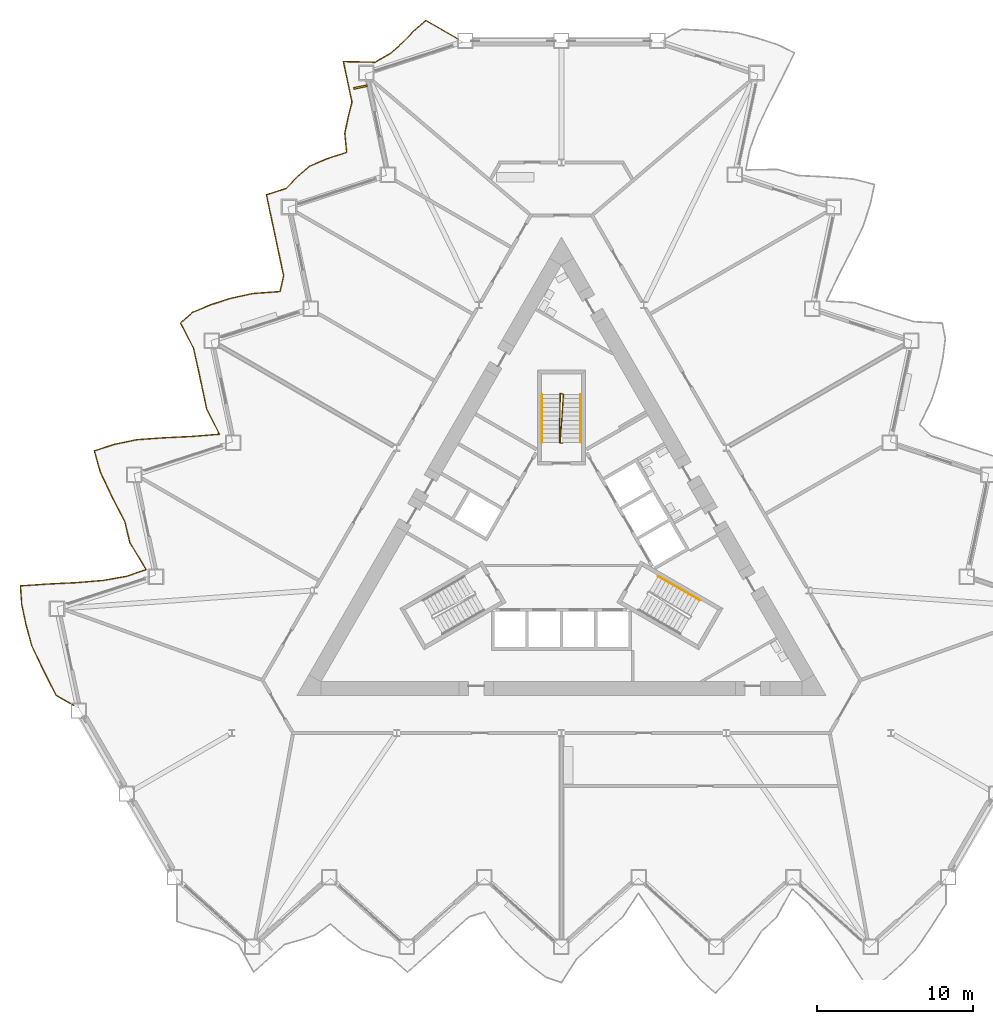
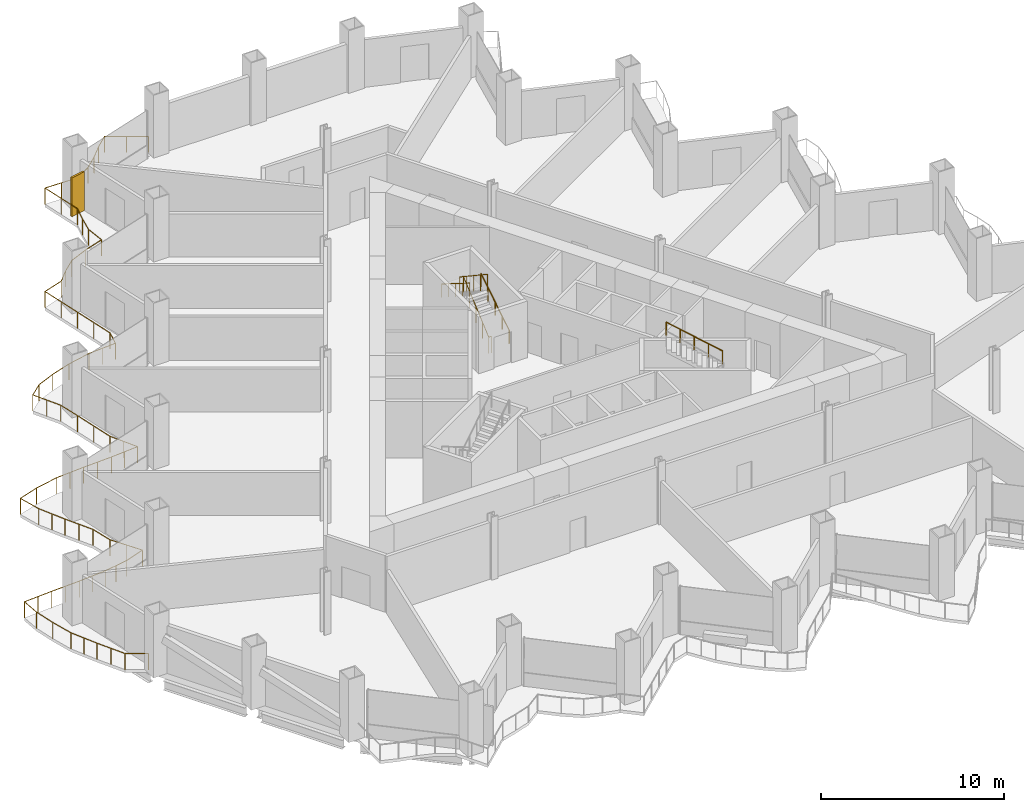
# One storey, part 18 of 21: 5 railings, 1 shading device.
"""IFC4 building model written with IfcOpenShell, lengths in metres."""

from ifc_helpers import new_model, si_unit, direction, frame, origin, origin_2d, place, context, subcontext, project, spatial, rectangle, circle, extrude, material, layer, layer_set, type_object, element, save


model = new_model("IFC4")

# Units and contexts
model_context = context("Model", 3, precision=1e-05, world=origin(), true_north=direction((0.0, 1.0)))
body_context = subcontext(model_context, "Body", "Model", "MODEL_VIEW")
ifc_project = project(units=[si_unit("LENGTHUNIT", "METRE"), si_unit("AREAUNIT", "SQUARE_METRE"), si_unit("VOLUMEUNIT", "CUBIC_METRE"), si_unit("PLANEANGLEUNIT", "RADIAN"), si_unit("MASSUNIT", "GRAM", prefix="KILO")], contexts=[model_context])

# Site, building, storey
site_placement = place(None, origin())
site = spatial("IfcSite", under=ifc_project, at=site_placement, CompositionType="ELEMENT")
building_placement = place(site_placement, origin())
building = spatial("IfcBuilding", under=site, at=building_placement, Name="Cormorant Prow Tower", CompositionType="ELEMENT")
storey_placement = place(building_placement, frame((0.0, 0.0, 80.39990234375)))
storey = spatial("IfcBuildingStorey", under=building, at=storey_placement, Name="L17", CompositionType="ELEMENT", Elevation=80.39990234375)

# Railings
ifc_material_1 = material(Name="Aluminium 6063-T6", Category="aluminium")
railing_type_1 = type_object("IfcRailingType", Name="Balcony guard 1100", PredefinedType="GUARDRAIL", material=ifc_material_1)
railing_1_placement = place(storey_placement, frame((-6.626953125, 32.349609375, 0.0)))
element("IfcRailing", 1, at=railing_1_placement, inside=storey, type_object=railing_type_1, Name="Balcony guard WNW", PredefinedType="GUARDRAIL", context=body_context, shape_type="SweptSolid", body=[
    extrude(circle(Radius=0.02392578125, at=origin_2d()), frame((0.0, 0.0, 1.076171875), z_axis=(-0.866028295127, 0.499994992015, 0.0), x_axis=(-0.499994992015, -0.866028295127, 0.0)), (0.0, 0.0, 1.0), 2.40380859375),
    extrude(circle(Radius=0.02392578125, at=origin_2d()), frame((-2.081787109375, 1.201904296875, 1.076171875), z_axis=(-0.749229047054, -0.66231098062, 0.0), x_axis=(0.66231098062, -0.749229047054, 0.0)), (0.0, 0.0, 1.0), 1.0419921875),
    extrude(circle(Radius=0.02392578125, at=origin_2d()), frame((-2.862548828125, 0.51171875, 1.076171875), z_axis=(-0.69342501666, -0.720528796281, 0.0), x_axis=(0.720528796281, -0.69342501666, 0.0)), (0.0, 0.0, 1.0), 1.017822265625),
    extrude(circle(Radius=0.02392578125, at=origin_2d()), frame((-3.568359375, -0.2216796875, 1.076171875), z_axis=(-0.748365447729, -0.663286632343, 0.0), x_axis=(0.663286632343, -0.748365447729, 0.0)), (0.0, 0.0, 1.0), 1.041748046875),
    extrude(circle(Radius=0.02392578125, at=origin_2d()), frame((-4.347900390625, -0.91259765625, 1.076171875), z_axis=(-0.863584291732, -0.504204493309, 0.0), x_axis=(0.504204493309, -0.863584291732, 0.0)), (0.0, 0.0, 1.0), 1.137939453125),
    extrude(circle(Radius=0.02392578125, at=origin_2d()), frame((-5.33056640625, -1.486328125, 1.076171875), z_axis=(-0.999789979048, 0.020493847741, 0.0), x_axis=(-0.020493847741, -0.999789979048, 0.0)), (0.0, 0.0, 1.0), 2.049072265625),
    extrude(circle(Radius=0.02392578125, at=origin_2d()), frame((-7.379150390625, -1.4443359375, 1.076171875), z_axis=(0.207860951936, -0.978158384241, 0.0), x_axis=(0.978158384241, 0.207860951936, 0.0)), (0.0, 0.0, 1.0), 1.32958984375),
    extrude(circle(Radius=0.02392578125, at=origin_2d()), frame((-7.102783203125, -2.744873046875, 1.076171875), z_axis=(0.208036630987, -0.978121035541, 0.0), x_axis=(0.978121035541, 0.208036630987, 0.0)), (0.0, 0.0, 1.0), 1.32958984375),
    extrude(circle(Radius=0.02392578125, at=origin_2d()), frame((-6.826171875, -4.04541015625, 1.076171875), z_axis=(-0.244828025554, -0.969566520618, 0.0), x_axis=(0.969566520618, -0.244828025554, 0.0)), (0.0, 0.0, 1.0), 1.027099609375),
    extrude(circle(Radius=0.02392578125, at=origin_2d()), frame((-7.07763671875, -5.041259765625, 1.076171875), z_axis=(-0.202698696086, -0.979241154469, 0.0), x_axis=(0.979241154469, -0.202698696086, 0.0)), (0.0, 0.0, 1.0), 1.04052734375),
    extrude(circle(Radius=0.02392578125, at=origin_2d()), frame((-7.28857421875, -6.060302734375, 1.076171875), z_axis=(0.10063500959, -0.994923411547, 0.0), x_axis=(0.994923411547, 0.10063500959, 0.0)), (0.0, 0.0, 1.0), 1.2177734375),
    extrude(circle(Radius=0.02392578125, at=origin_2d()), frame((-7.166015625, -7.27197265625, 1.076171875), z_axis=(-0.951061050214, -0.30900304006, 0.0), x_axis=(0.30900304006, -0.951061050214, 0.0)), (0.0, 0.0, 1.0), 1.329833984375),
    extrude(circle(Radius=0.02392578125, at=origin_2d()), frame((-8.4306640625, -7.682861328125, 1.076171875), z_axis=(-0.919052898332, -0.394134203117, 0.0), x_axis=(0.394134203117, -0.919052898332, 0.0)), (0.0, 0.0, 1.0), 1.23388671875),
    extrude(circle(Radius=0.02392578125, at=origin_2d()), frame((-9.564697265625, -8.169189453125, 1.076171875), z_axis=(-0.752663621362, -0.658405249886, 0.0), x_axis=(0.658405249886, -0.752663621362, 0.0)), (0.0, 0.0, 1.0), 1.043701171875),
    extrude(circle(Radius=0.02392578125, at=origin_2d()), frame((-10.350341796875, -8.8564453125, 1.076171875), z_axis=(-0.69342501666, -0.720528796281, 0.0), x_axis=(0.720528796281, -0.69342501666, 0.0)), (0.0, 0.0, 1.0), 1.017822265625),
    extrude(circle(Radius=0.02392578125, at=origin_2d()), frame((-11.05615234375, -9.58984375, 1.076171875), z_axis=(-0.950811038032, -0.309771480217, 0.0), x_axis=(0.309771480217, -0.950811038032, 0.0)), (0.0, 0.0, 1.0), 1.328857421875),
    extrude(circle(Radius=0.02392578125, at=origin_2d()), frame((-12.319580078125, -10.00146484375, 1.076171875), z_axis=(0.207860951936, -0.978158384241, 0.0), x_axis=(0.978158384241, 0.207860951936, 0.0)), (0.0, 0.0, 1.0), 1.32958984375),
    extrude(circle(Radius=0.02392578125, at=origin_2d()), frame((-12.043212890625, -11.302001953125, 1.076171875), z_axis=(0.207860951936, -0.978158384241, 0.0), x_axis=(0.978158384241, 0.207860951936, 0.0)), (0.0, 0.0, 1.0), 1.32958984375),
    extrude(circle(Radius=0.02392578125, at=origin_2d()), frame((-11.766845703125, -12.6025390625, 1.076171875), z_axis=(0.208036630987, -0.978121035541, 0.0), x_axis=(0.978121035541, 0.208036630987, 0.0)), (0.0, 0.0, 1.0), 1.32958984375),
    extrude(circle(Radius=0.02392578125, at=origin_2d()), frame((-11.490234375, -13.903076171875, 1.076171875), z_axis=(0.207860951936, -0.978158384241, 0.0), x_axis=(0.978158384241, 0.207860951936, 0.0)), (0.0, 0.0, 1.0), 1.32958984375),
    extrude(circle(Radius=0.02392578125, at=origin_2d()), frame((-11.2138671875, -15.20361328125, 1.076171875), z_axis=(-0.225204666395, -0.974311479063, 0.0), x_axis=(0.974311479063, -0.225204666395, 0.0)), (0.0, 0.0, 1.0), 1.033203125),
    extrude(circle(Radius=0.02392578125, at=origin_2d()), frame((-11.446533203125, -16.210205078125, 1.076171875), z_axis=(-0.99740849321, -0.071946491727, 0.0), x_axis=(0.071946491727, -0.99740849321, 0.0)), (0.0, 0.0, 1.0), 1.76123046875),
    extrude(circle(Radius=0.02392578125, at=origin_2d()), frame((-13.203125, -16.3369140625, 1.076171875), z_axis=(-0.976809779514, -0.214108978431, 0.0), x_axis=(0.214108978431, -0.976809779514, 0.0)), (0.0, 0.0, 1.0), 1.46630859375),
    extrude(circle(Radius=0.02392578125, at=origin_2d()), frame((-14.635498046875, -16.65087890625, 1.076171875), z_axis=(-0.951061050214, -0.30900304006, 0.0), x_axis=(0.30900304006, -0.951061050214, 0.0)), (0.0, 0.0, 1.0), 1.329833984375),
    extrude(circle(Radius=0.02392578125, at=origin_2d()), frame((-15.900146484375, -17.061767578125, 1.076171875), z_axis=(-0.922861789868, -0.385131298134, 0.0), x_axis=(0.385131298134, -0.922861789868, 0.0)), (0.0, 0.0, 1.0), 1.2431640625),
    extrude(circle(Radius=0.02392578125, at=origin_2d()), frame((-17.04736328125, -17.54052734375, 1.076171875), z_axis=(-0.756281985807, -0.654245793218, 0.0), x_axis=(0.654245793218, -0.756281985807, 0.0)), (0.0, 0.0, 1.0), 1.045654296875),
    extrude(circle(Radius=0.02392578125, at=origin_2d()), frame((-17.838134765625, -18.224609375, 1.076171875), z_axis=(0.457456812762, -0.889231839544, 0.0), x_axis=(0.889231839544, 0.457456812762, 0.0)), (0.0, 0.0, 1.0), 1.8251953125),
    extrude(circle(Radius=0.02392578125, at=origin_2d()), frame((-17.003173828125, -19.84765625, 1.076171875), z_axis=(0.220216293371, -0.975451067011, 0.0), x_axis=(0.975451067011, 0.220216293371, 0.0)), (0.0, 0.0, 1.0), 1.3447265625),
    extrude(circle(Radius=0.02392578125, at=origin_2d()), frame((-16.70703125, -21.159423828125, 1.076171875), z_axis=(0.20782362414, -0.97816631574, 0.0), x_axis=(0.97816631574, 0.20782362414, 0.0)), (0.0, 0.0, 1.0), 1.329833984375),
    extrude(circle(Radius=0.02392578125, at=origin_2d()), frame((-16.4306640625, -22.460205078125, 1.076171875), z_axis=(0.20789829284, -0.978150448466, 0.0), x_axis=(0.978150448466, 0.20789829284, 0.0)), (0.0, 0.0, 1.0), 1.329345703125),
    extrude(circle(Radius=0.02392578125, at=origin_2d()), frame((-16.154296875, -23.760498046875, 1.076171875), z_axis=(0.451264702249, -0.892390143662, 0.0), x_axis=(0.892390143662, 0.451264702249, 0.0)), (0.0, 0.0, 1.0), 1.805908203125),
    extrude(circle(Radius=0.02392578125, at=origin_2d()), frame((-15.33935546875, -25.3720703125, 1.076171875), z_axis=(-0.996800099834, -0.079934729446, 0.0), x_axis=(0.079934729446, -0.996800099834, 0.0)), (0.0, 0.0, 1.0), 1.740966796875),
    extrude(circle(Radius=0.02392578125, at=origin_2d()), frame((-17.07470703125, -25.51123046875, 1.076171875), z_axis=(-0.998826599555, -0.048429577959, 0.0), x_axis=(0.048429577959, -0.998826599555, 0.0)), (0.0, 0.0, 1.0), 1.824951171875),
    extrude(circle(Radius=0.02392578125, at=origin_2d()), frame((-18.8974609375, -25.599609375, 1.076171875), z_axis=(-0.997529791379, -0.070244681733, 0.0), x_axis=(0.070244681733, -0.997529791379, 0.0)), (0.0, 0.0, 1.0), 1.765625),
    extrude(circle(Radius=0.02392578125, at=origin_2d()), frame((-20.65869140625, -25.7236328125, 1.076171875), z_axis=(-0.978321400037, -0.207092342277, 0.0), x_axis=(0.207092342277, -0.978321400037, 0.0)), (0.0, 0.0, 1.0), 1.478271484375),
    extrude(circle(Radius=0.02392578125, at=origin_2d()), frame((-22.10498046875, -26.02978515625, 1.076171875), z_axis=(-0.95111499602, -0.308836954306, 0.0), x_axis=(0.308836954306, -0.95111499602, 0.0)), (0.0, 0.0, 1.0), 1.32958984375),
    extrude(circle(Radius=0.02392578125, at=origin_2d()), frame((-23.36962890625, -26.4404296875, 1.076171875), z_axis=(0.26962992552, -0.962964019714, 0.0), x_axis=(0.962964019714, 0.26962992552, 0.0)), (0.0, 0.0, 1.0), 1.413330078125),
    extrude(circle(Radius=0.02392578125, at=origin_2d()), frame((-22.988525390625, -27.801513671875, 1.076171875), z_axis=(0.428351961021, -0.903611972856, 0.0), x_axis=(0.903611972856, 0.428351961021, 0.0)), (0.0, 0.0, 1.0), 1.73828125),
    extrude(circle(Radius=0.02392578125, at=origin_2d()), frame((-22.243896484375, -29.372314453125, 1.076171875), z_axis=(0.457299643133, -0.889312676391, 0.0), x_axis=(0.889312676391, 0.457299643133, 0.0)), (0.0, 0.0, 1.0), 1.82470703125),
    extrude(circle(Radius=0.02392578125, at=origin_2d()), frame((-21.409423828125, -30.9951171875, 1.076171875), z_axis=(0.231491035734, -0.972837036905, 0.0), x_axis=(0.972837036905, 0.231491035734, 0.0)), (0.0, 0.0, 1.0), 1.359375),
    extrude(circle(Radius=0.02392578125, at=origin_2d()), frame((-21.0947265625, -32.317626953125, 1.076171875), z_axis=(0.513718349829, -0.857958890069, 0.0), x_axis=(0.857958890069, 0.513718349829, 0.0)), (0.0, 0.0, 1.0), 2.03271484375),
    extrude(circle(Radius=0.02392578125, at=origin_2d()), frame((-20.050537109375, -34.0615234375, 1.076171875), z_axis=(-0.944114864762, -0.329616629034, 0.0), x_axis=(0.329616629034, -0.944114864762, 0.0)), (0.0, 0.0, 1.0), 1.304443359375),
    extrude(circle(Radius=0.02392578125, at=origin_2d()), frame((-21.281982421875, -34.491455078125, 1.076171875), z_axis=(-0.984823497026, -0.173558865245, 0.0), x_axis=(0.173558865245, -0.984823497026, 0.0)), (0.0, 0.0, 1.0), 1.53759765625),
    extrude(circle(Radius=0.02392578125, at=origin_2d()), frame((-22.796142578125, -34.75830078125, 1.076171875), z_axis=(-0.996643990798, -0.08185814319, 0.0), x_axis=(0.08185814319, -0.996643990798, 0.0)), (0.0, 0.0, 1.0), 1.73583984375),
    extrude(circle(Radius=0.02392578125, at=origin_2d()), frame((-24.526123046875, -34.900390625, 1.076171875), z_axis=(-0.998812986375, -0.048709529346, 0.0), x_axis=(0.048709529346, -0.998812986375, 0.0)), (0.0, 0.0, 1.0), 1.824462890625),
    extrude(circle(Radius=0.02392578125, at=origin_2d()), frame((-26.348388671875, -34.9892578125, 1.076171875), z_axis=(-0.99763750606, -0.068697936673, 0.0), x_axis=(0.068697936673, -0.99763750606, 0.0)), (0.0, 0.0, 1.0), 1.769775390625),
    extrude(circle(Radius=0.02392578125, at=origin_2d()), frame((-28.114013671875, -35.11083984375, 1.076171875), z_axis=(0.067703641189, -0.997705476065, 0.0), x_axis=(0.997705476065, 0.067703641189, 0.0)), (0.0, 0.0, 1.0), 1.18994140625),
    extrude(circle(Radius=0.02392578125, at=origin_2d()), frame((-28.033447265625, -36.298095703125, 1.076171875), z_axis=(0.207860951936, -0.978158384241, 0.0), x_axis=(0.978158384241, 0.207860951936, 0.0)), (0.0, 0.0, 1.0), 1.32958984375),
    extrude(circle(Radius=0.02392578125, at=origin_2d()), frame((-27.757080078125, -37.5986328125, 1.076171875), z_axis=(0.262587292326, -0.964908241186, 0.0), x_axis=(0.964908241186, 0.262587292326, 0.0)), (0.0, 0.0, 1.0), 1.403076171875),
    extrude(circle(Radius=0.02392578125, at=origin_2d()), frame((-27.388671875, -38.952392578125, 1.076171875), z_axis=(0.426529537736, -0.904473633357, 0.0), x_axis=(0.904473633357, 0.426529537736, 0.0)), (0.0, 0.0, 1.0), 1.733154296875),
    extrude(circle(Radius=0.02392578125, at=origin_2d()), frame((-26.6494140625, -40.52001953125, 1.076171875), z_axis=(0.457036516132, -0.889447931541, 0.0), x_axis=(0.889447931541, 0.457036516132, 0.0)), (0.0, 0.0, 1.0), 1.82421875),
    extrude(circle(Radius=0.02392578125, at=origin_2d()), frame((-25.815673828125, -42.142578125, 1.076171875), z_axis=(0.86604962328, -0.499958048256, 0.0), x_axis=(0.499958048256, 0.86604962328, 0.0)), (0.0, 0.0, 1.0), 1.28564453125),
    extrude(circle(Radius=0.02099609375, at=origin_2d()), origin(), (0.0, 0.0, 1.0), 1.052001953125),
    extrude(circle(Radius=0.02099609375, at=origin_2d()), frame((-1.041015625, 0.60107421875, 0.0)), (0.0, 0.0, 1.0), 1.052001953125),
    extrude(circle(Radius=0.02099609375, at=origin_2d()), frame((-2.081787109375, 1.201904296875, 0.0)), (0.0, 0.0, 1.0), 1.052001953125),
    extrude(circle(Radius=0.02099609375, at=origin_2d()), frame((-2.862548828125, 0.51171875, 0.0)), (0.0, 0.0, 1.0), 1.052001953125),
    extrude(circle(Radius=0.02099609375, at=origin_2d()), frame((-3.568359375, -0.2216796875, 0.0)), (0.0, 0.0, 1.0), 1.052001953125),
    extrude(circle(Radius=0.02099609375, at=origin_2d()), frame((-4.347900390625, -0.91259765625, 0.0)), (0.0, 0.0, 1.0), 1.052001953125),
    extrude(circle(Radius=0.02099609375, at=origin_2d()), frame((-5.33056640625, -1.486328125, 0.0)), (0.0, 0.0, 1.0), 1.052001953125),
    extrude(circle(Radius=0.02099609375, at=origin_2d()), frame((-6.35498046875, -1.46533203125, 0.0)), (0.0, 0.0, 1.0), 1.052001953125),
    extrude(circle(Radius=0.02099609375, at=origin_2d()), frame((-7.379150390625, -1.4443359375, 0.0)), (0.0, 0.0, 1.0), 1.052001953125),
    extrude(circle(Radius=0.02099609375, at=origin_2d()), frame((-7.102783203125, -2.744873046875, 0.0)), (0.0, 0.0, 1.0), 1.052001953125),
    extrude(circle(Radius=0.02099609375, at=origin_2d()), frame((-6.826171875, -4.04541015625, 0.0)), (0.0, 0.0, 1.0), 1.052001953125),
    extrude(circle(Radius=0.02099609375, at=origin_2d()), frame((-7.07763671875, -5.041259765625, 0.0)), (0.0, 0.0, 1.0), 1.052001953125),
    extrude(circle(Radius=0.02099609375, at=origin_2d()), frame((-7.28857421875, -6.060302734375, 0.0)), (0.0, 0.0, 1.0), 1.052001953125),
    extrude(circle(Radius=0.02099609375, at=origin_2d()), frame((-7.166015625, -7.27197265625, 0.0)), (0.0, 0.0, 1.0), 1.052001953125),
    extrude(circle(Radius=0.02099609375, at=origin_2d()), frame((-8.4306640625, -7.682861328125, 0.0)), (0.0, 0.0, 1.0), 1.052001953125),
    extrude(circle(Radius=0.02099609375, at=origin_2d()), frame((-9.564697265625, -8.169189453125, 0.0)), (0.0, 0.0, 1.0), 1.052001953125),
    extrude(circle(Radius=0.02099609375, at=origin_2d()), frame((-10.350341796875, -8.8564453125, 0.0)), (0.0, 0.0, 1.0), 1.052001953125),
    extrude(circle(Radius=0.02099609375, at=origin_2d()), frame((-11.05615234375, -9.58984375, 0.0)), (0.0, 0.0, 1.0), 1.052001953125),
    extrude(circle(Radius=0.02099609375, at=origin_2d()), frame((-12.319580078125, -10.00146484375, 0.0)), (0.0, 0.0, 1.0), 1.052001953125),
    extrude(circle(Radius=0.02099609375, at=origin_2d()), frame((-12.043212890625, -11.302001953125, 0.0)), (0.0, 0.0, 1.0), 1.052001953125),
    extrude(circle(Radius=0.02099609375, at=origin_2d()), frame((-11.766845703125, -12.6025390625, 0.0)), (0.0, 0.0, 1.0), 1.052001953125),
    extrude(circle(Radius=0.02099609375, at=origin_2d()), frame((-11.490234375, -13.903076171875, 0.0)), (0.0, 0.0, 1.0), 1.052001953125),
    extrude(circle(Radius=0.02099609375, at=origin_2d()), frame((-11.2138671875, -15.20361328125, 0.0)), (0.0, 0.0, 1.0), 1.052001953125),
    extrude(circle(Radius=0.02099609375, at=origin_2d()), frame((-11.446533203125, -16.210205078125, 0.0)), (0.0, 0.0, 1.0), 1.052001953125),
    extrude(circle(Radius=0.02099609375, at=origin_2d()), frame((-12.32470703125, -16.2734375, 0.0)), (0.0, 0.0, 1.0), 1.052001953125),
    extrude(circle(Radius=0.02099609375, at=origin_2d()), frame((-13.203125, -16.3369140625, 0.0)), (0.0, 0.0, 1.0), 1.052001953125),
    extrude(circle(Radius=0.02099609375, at=origin_2d()), frame((-14.635498046875, -16.65087890625, 0.0)), (0.0, 0.0, 1.0), 1.052001953125),
    extrude(circle(Radius=0.02099609375, at=origin_2d()), frame((-15.900146484375, -17.061767578125, 0.0)), (0.0, 0.0, 1.0), 1.052001953125),
    extrude(circle(Radius=0.02099609375, at=origin_2d()), frame((-17.04736328125, -17.54052734375, 0.0)), (0.0, 0.0, 1.0), 1.052001953125),
    extrude(circle(Radius=0.02099609375, at=origin_2d()), frame((-17.838134765625, -18.224609375, 0.0)), (0.0, 0.0, 1.0), 1.052001953125),
    extrude(circle(Radius=0.02099609375, at=origin_2d()), frame((-17.420654296875, -19.0361328125, 0.0)), (0.0, 0.0, 1.0), 1.052001953125),
    extrude(circle(Radius=0.02099609375, at=origin_2d()), frame((-17.003173828125, -19.84765625, 0.0)), (0.0, 0.0, 1.0), 1.052001953125),
    extrude(circle(Radius=0.02099609375, at=origin_2d()), frame((-16.70703125, -21.159423828125, 0.0)), (0.0, 0.0, 1.0), 1.052001953125),
    extrude(circle(Radius=0.02099609375, at=origin_2d()), frame((-16.4306640625, -22.460205078125, 0.0)), (0.0, 0.0, 1.0), 1.052001953125),
    extrude(circle(Radius=0.02099609375, at=origin_2d()), frame((-16.154296875, -23.760498046875, 0.0)), (0.0, 0.0, 1.0), 1.052001953125),
    extrude(circle(Radius=0.02099609375, at=origin_2d()), frame((-15.746826171875, -24.56640625, 0.0)), (0.0, 0.0, 1.0), 1.052001953125),
    extrude(circle(Radius=0.02099609375, at=origin_2d()), frame((-15.33935546875, -25.3720703125, 0.0)), (0.0, 0.0, 1.0), 1.052001953125),
    extrude(circle(Radius=0.02099609375, at=origin_2d()), frame((-16.20703125, -25.441650390625, 0.0)), (0.0, 0.0, 1.0), 1.052001953125),
    extrude(circle(Radius=0.02099609375, at=origin_2d()), frame((-17.07470703125, -25.51123046875, 0.0)), (0.0, 0.0, 1.0), 1.052001953125),
    extrude(circle(Radius=0.02099609375, at=origin_2d()), frame((-17.986083984375, -25.555419921875, 0.0)), (0.0, 0.0, 1.0), 1.052001953125),
    extrude(circle(Radius=0.02099609375, at=origin_2d()), frame((-18.8974609375, -25.599609375, 0.0)), (0.0, 0.0, 1.0), 1.052001953125),
    extrude(circle(Radius=0.02099609375, at=origin_2d()), frame((-19.778076171875, -25.66162109375, 0.0)), (0.0, 0.0, 1.0), 1.052001953125),
    extrude(circle(Radius=0.02099609375, at=origin_2d()), frame((-20.65869140625, -25.7236328125, 0.0)), (0.0, 0.0, 1.0), 1.052001953125),
    extrude(circle(Radius=0.02099609375, at=origin_2d()), frame((-22.10498046875, -26.02978515625, 0.0)), (0.0, 0.0, 1.0), 1.052001953125),
    extrude(circle(Radius=0.02099609375, at=origin_2d()), frame((-23.36962890625, -26.4404296875, 0.0)), (0.0, 0.0, 1.0), 1.052001953125),
    extrude(circle(Radius=0.02099609375, at=origin_2d()), frame((-22.988525390625, -27.801513671875, 0.0)), (0.0, 0.0, 1.0), 1.052001953125),
    extrude(circle(Radius=0.02099609375, at=origin_2d()), frame((-22.6162109375, -28.5869140625, 0.0)), (0.0, 0.0, 1.0), 1.052001953125),
    extrude(circle(Radius=0.02099609375, at=origin_2d()), frame((-22.243896484375, -29.372314453125, 0.0)), (0.0, 0.0, 1.0), 1.052001953125),
    extrude(circle(Radius=0.02099609375, at=origin_2d()), frame((-21.82666015625, -30.18359375, 0.0)), (0.0, 0.0, 1.0), 1.052001953125),
    extrude(circle(Radius=0.02099609375, at=origin_2d()), frame((-21.409423828125, -30.9951171875, 0.0)), (0.0, 0.0, 1.0), 1.052001953125),
    extrude(circle(Radius=0.02099609375, at=origin_2d()), frame((-21.0947265625, -32.317626953125, 0.0)), (0.0, 0.0, 1.0), 1.052001953125),
    extrude(circle(Radius=0.02099609375, at=origin_2d()), frame((-20.57275390625, -33.189453125, 0.0)), (0.0, 0.0, 1.0), 1.052001953125),
    extrude(circle(Radius=0.02099609375, at=origin_2d()), frame((-20.050537109375, -34.0615234375, 0.0)), (0.0, 0.0, 1.0), 1.052001953125),
    extrude(circle(Radius=0.02099609375, at=origin_2d()), frame((-21.281982421875, -34.491455078125, 0.0)), (0.0, 0.0, 1.0), 1.052001953125),
    extrude(circle(Radius=0.02099609375, at=origin_2d()), frame((-22.0390625, -34.625, 0.0)), (0.0, 0.0, 1.0), 1.052001953125),
    extrude(circle(Radius=0.02099609375, at=origin_2d()), frame((-22.796142578125, -34.75830078125, 0.0)), (0.0, 0.0, 1.0), 1.052001953125),
    extrude(circle(Radius=0.02099609375, at=origin_2d()), frame((-23.6611328125, -34.829345703125, 0.0)), (0.0, 0.0, 1.0), 1.052001953125),
    extrude(circle(Radius=0.02099609375, at=origin_2d()), frame((-24.526123046875, -34.900390625, 0.0)), (0.0, 0.0, 1.0), 1.052001953125),
    extrude(circle(Radius=0.02099609375, at=origin_2d()), frame((-25.437255859375, -34.94482421875, 0.0)), (0.0, 0.0, 1.0), 1.052001953125),
    extrude(circle(Radius=0.02099609375, at=origin_2d()), frame((-26.348388671875, -34.9892578125, 0.0)), (0.0, 0.0, 1.0), 1.052001953125),
    extrude(circle(Radius=0.02099609375, at=origin_2d()), frame((-27.231201171875, -35.050048828125, 0.0)), (0.0, 0.0, 1.0), 1.052001953125),
    extrude(circle(Radius=0.02099609375, at=origin_2d()), frame((-28.114013671875, -35.11083984375, 0.0)), (0.0, 0.0, 1.0), 1.052001953125),
    extrude(circle(Radius=0.02099609375, at=origin_2d()), frame((-28.033447265625, -36.298095703125, 0.0)), (0.0, 0.0, 1.0), 1.052001953125),
    extrude(circle(Radius=0.02099609375, at=origin_2d()), frame((-27.757080078125, -37.5986328125, 0.0)), (0.0, 0.0, 1.0), 1.052001953125),
    extrude(circle(Radius=0.02099609375, at=origin_2d()), frame((-27.388671875, -38.952392578125, 0.0)), (0.0, 0.0, 1.0), 1.052001953125),
    extrude(circle(Radius=0.02099609375, at=origin_2d()), frame((-27.01904296875, -39.736328125, 0.0)), (0.0, 0.0, 1.0), 1.052001953125),
    extrude(circle(Radius=0.02099609375, at=origin_2d()), frame((-26.6494140625, -40.52001953125, 0.0)), (0.0, 0.0, 1.0), 1.052001953125),
    extrude(circle(Radius=0.02099609375, at=origin_2d()), frame((-26.232421875, -41.331298828125, 0.0)), (0.0, 0.0, 1.0), 1.052001953125),
    extrude(circle(Radius=0.02099609375, at=origin_2d()), frame((-25.815673828125, -42.142578125, 0.0)), (0.0, 0.0, 1.0), 1.052001953125),
    extrude(circle(Radius=0.02099609375, at=origin_2d()), frame((-24.7021484375, -42.785400390625, 0.0)), (0.0, 0.0, 1.0), 1.052001953125),
])
ifc_material_2 = material(Name="Stainless steel", Category="steel")
railing_type_2 = type_object("IfcRailingType", Name="Stair guard 1100", PredefinedType="GUARDRAIL", material=ifc_material_2)
railing_2_placement = place(storey_placement, frame((0.074951171875, 6.40576171875, 0.0)))
element("IfcRailing", 2, at=railing_2_placement, inside=storey, type_object=railing_type_2, Name="L17 ST3 stair guard 1", PredefinedType="GUARDRAIL", context=body_context, shape_type="SweptSolid", body=[
    extrude(circle(Radius=0.02392578125, at=origin_2d()), frame((0.0, 0.0, 1.076171875), z_axis=(-1.0, 0.0, 0.0), x_axis=(0.0, -1.0, 0.0)), (0.0, 0.0, 1.0), 0.14990234375),
    extrude(circle(Radius=0.02392578125, at=origin_2d()), frame((-0.14990234375, 0.0, 1.076171875), z_axis=(0.052971918151, 0.829246596605, 0.556366837532), x_axis=(-0.997965923181, 0.063749636618, 0.0)), (0.0, 0.0, 1.0), 3.774658203125),
    extrude(circle(Radius=0.02392578125, at=origin_2d()), frame((0.050048828125, 3.130126953125, 3.17626953125), z_axis=(-0.970072785993, 0.242814311512, 0.0), x_axis=(-0.242814311512, -0.970072785993, 0.0)), (0.0, 0.0, 1.0), 0.2060546875),
    extrude(circle(Radius=0.02392578125, at=origin_2d()), frame((-0.14990234375, 3.18017578125, 3.17626953125), z_axis=(-0.013276620939, -0.830339302729, 0.557099967403), x_axis=(0.999872194171, -0.015987348866, 0.0)), (0.0, 0.0, 1.0), 3.769775390625),
    extrude(circle(Radius=0.02099609375, at=origin_2d()), origin(), (0.0, 0.0, 1.0), 1.052001953125),
    extrude(circle(Radius=0.02099609375, at=origin_2d()), frame((-0.14990234375, 0.0, 0.0)), (0.0, 0.0, 1.0), 1.052001953125),
    extrude(circle(Radius=0.02099609375, at=origin_2d()), frame((-0.099853515625, 0.782470703125, 0.52490234375)), (0.0, 0.0, 1.0), 1.052001953125),
    extrude(circle(Radius=0.02099609375, at=origin_2d()), frame((-0.0498046875, 1.56494140625, 1.050048828125)), (0.0, 0.0, 1.0), 1.052001953125),
    extrude(circle(Radius=0.02099609375, at=origin_2d()), frame((0.0, 2.34765625, 1.5751953125)), (0.0, 0.0, 1.0), 1.052001953125),
    extrude(circle(Radius=0.02099609375, at=origin_2d()), frame((0.050048828125, 3.130126953125, 2.10009765625)), (0.0, 0.0, 1.0), 1.052001953125),
    extrude(circle(Radius=0.02099609375, at=origin_2d()), frame((-0.14990234375, 3.18017578125, 2.10009765625)), (0.0, 0.0, 1.0), 1.052001953125),
    extrude(circle(Radius=0.02099609375, at=origin_2d()), frame((-0.162353515625, 2.397705078125, 2.625)), (0.0, 0.0, 1.0), 1.052001953125),
    extrude(circle(Radius=0.02099609375, at=origin_2d()), frame((-0.1748046875, 1.615234375, 3.150146484375)), (0.0, 0.0, 1.0), 1.052001953125),
    extrude(circle(Radius=0.02099609375, at=origin_2d()), frame((-0.1875, 0.83251953125, 3.67529296875)), (0.0, 0.0, 1.0), 1.052001953125),
    extrude(circle(Radius=0.02099609375, at=origin_2d()), frame((-0.199951171875, 0.050048828125, 4.2001953125)), (0.0, 0.0, 1.0), 1.052001953125),
])
ifc_material_3 = material(Name="Stainless steel", Category="steel")
railing_type_3 = type_object("IfcRailingType", Name="Stair handrail 900", PredefinedType="HANDRAIL", material=ifc_material_3)
railing_3_placement = place(storey_placement, frame((8.88037109375, -3.690673828125, 2.275146484375)))
element("IfcRailing", 3, at=railing_3_placement, inside=storey, type_object=railing_type_3, Name="L17 ST2 stair handrail 2", PredefinedType="HANDRAIL", context=body_context, shape_type="SweptSolid", body=[
    extrude(circle(Radius=0.02392578125, at=origin_2d()), frame((0.0, 0.0, 0.8759765625), z_axis=(-0.734394994316, 0.423994474112, 0.52999309264), x_axis=(-0.499992328818, -0.866029832698, 0.0)), (0.0, 0.0, 1.0), 3.63232421875),
    extrude(circle(Radius=0.02099609375, at=origin_2d()), origin(), (0.0, 0.0, 1.0), 0.851806640625),
    extrude(circle(Radius=0.02099609375, at=origin_2d()), frame((-0.6669921875, 0.385009765625, 0.481201171875)), (0.0, 0.0, 1.0), 0.851806640625),
    extrude(circle(Radius=0.02099609375, at=origin_2d()), frame((-1.333740234375, 0.77001953125, 0.96240234375)), (0.0, 0.0, 1.0), 0.851806640625),
    extrude(circle(Radius=0.02099609375, at=origin_2d()), frame((-2.00048828125, 1.155029296875, 1.44384765625)), (0.0, 0.0, 1.0), 0.851806640625),
    extrude(circle(Radius=0.02099609375, at=origin_2d()), frame((-2.66748046875, 1.5400390625, 1.925048828125)), (0.0, 0.0, 1.0), 0.851806640625),
])
railing_4_placement = place(storey_placement, frame((1.243896484375, 6.455810546875, 0.175048828125)))
element("IfcRailing", 4, at=railing_4_placement, inside=storey, type_object=railing_type_3, Name="L17 ST3 stair handrail 1", PredefinedType="HANDRAIL", context=body_context, shape_type="SweptSolid", body=[
    extrude(circle(Radius=0.02392578125, at=origin_2d()), frame((0.0, 0.0, 0.8759765625), z_axis=(0.0, 0.847998304005, 0.529998940003), x_axis=(-1.0, 0.0, 0.0)), (0.0, 0.0, 1.0), 3.632080078125),
    extrude(circle(Radius=0.02099609375, at=origin_2d()), origin(), (0.0, 0.0, 1.0), 0.851806640625),
    extrude(circle(Radius=0.02099609375, at=origin_2d()), frame((0.0, 0.77001953125, 0.481201171875)), (0.0, 0.0, 1.0), 0.851806640625),
    extrude(circle(Radius=0.02099609375, at=origin_2d()), frame((0.0, 1.5400390625, 0.96240234375)), (0.0, 0.0, 1.0), 0.851806640625),
    extrude(circle(Radius=0.02099609375, at=origin_2d()), frame((0.0, 2.31005859375, 1.44384765625)), (0.0, 0.0, 1.0), 0.851806640625),
    extrude(circle(Radius=0.02099609375, at=origin_2d()), frame((0.0, 3.080078125, 1.925048828125)), (0.0, 0.0, 1.0), 0.851806640625),
])
railing_5_placement = place(storey_placement, frame((-1.243896484375, 9.535888671875, 2.275146484375)))
element("IfcRailing", 5, at=railing_5_placement, inside=storey, type_object=railing_type_3, Name="L17 ST3 stair handrail 2", PredefinedType="HANDRAIL", context=body_context, shape_type="SweptSolid", body=[
    extrude(circle(Radius=0.02392578125, at=origin_2d()), frame((0.0, 0.0, 0.8759765625), z_axis=(0.0, -0.847998304005, 0.529998940003), x_axis=(1.0, 0.0, 0.0)), (0.0, 0.0, 1.0), 3.632080078125),
    extrude(circle(Radius=0.02099609375, at=origin_2d()), origin(), (0.0, 0.0, 1.0), 0.851806640625),
    extrude(circle(Radius=0.02099609375, at=origin_2d()), frame((0.0, -0.77001953125, 0.481201171875)), (0.0, 0.0, 1.0), 0.851806640625),
    extrude(circle(Radius=0.02099609375, at=origin_2d()), frame((0.0, -1.5400390625, 0.96240234375)), (0.0, 0.0, 1.0), 0.851806640625),
    extrude(circle(Radius=0.02099609375, at=origin_2d()), frame((0.0, -2.31005859375, 1.44384765625)), (0.0, 0.0, 1.0), 0.851806640625),
    extrude(circle(Radius=0.02099609375, at=origin_2d()), frame((0.0, -3.080078125, 1.925048828125)), (0.0, 0.0, 1.0), 0.851806640625),
])

# Shading device
ifc_material_4 = material(Name="Terracotta", Category="masonry")
ifc_layer = layer(ifc_material_4, 0.1201171875)
ifc_layer_set = layer_set([ifc_layer], Name="Terracotta")
shading_device_type = type_object("IfcShadingDeviceType", Name="Terracotta baguette fin 120x900x2600", PredefinedType="USERDEFINED", material=ifc_layer_set)
shading_device_placement = place(storey_placement, frame((-12.902099609375, 29.265380859375, 0.0), z_axis=(0.0, 0.0, 1.0), x_axis=(0.207911722401, -0.978147594021, 0.0)))
element("IfcShadingDevice", 6, at=shading_device_placement, inside=storey, type_object=shading_device_type, Name="Baguette fin WNW01", ObjectType="BAGUETTE", PredefinedType="USERDEFINED", context=body_context, shape_type="SweptSolid", body=[
    extrude(rectangle(XDim=0.1201171875, YDim=0.89990234375, at=origin_2d()), origin(), (0.0, 0.0, 1.0), 2.60009765625),
])

save(model, "model.ifc")
